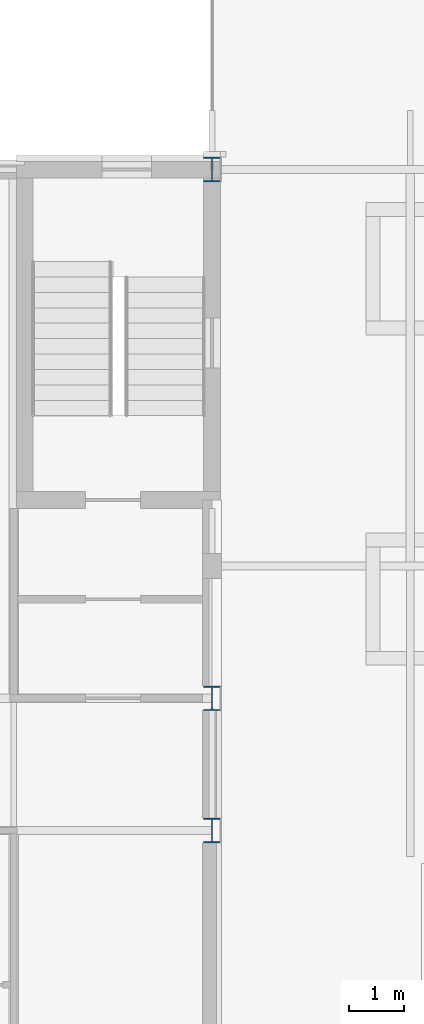
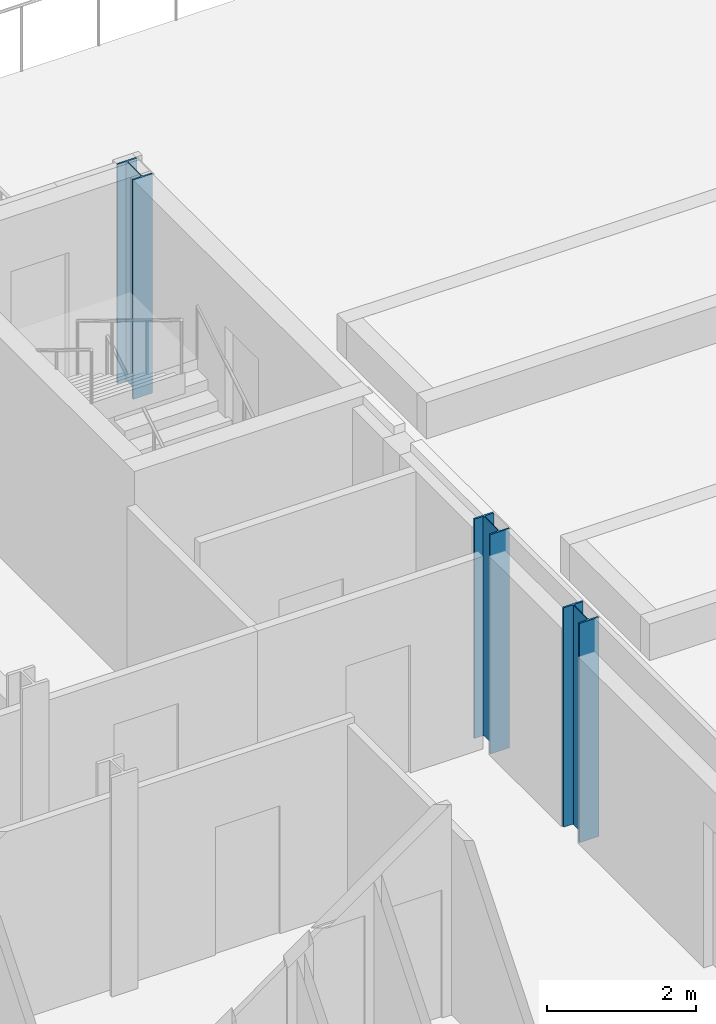
# One storey, part 16 of 110: 3 columns.
"""IFC4 building model written with IfcOpenShell, lengths in metres."""

from ifc_helpers import new_model, si_unit, direction, frame, origin, origin_2d, place, context, subcontext, project, spatial, i_section, extrude, material, material_profile, profile_set, type_object, element, save


model = new_model("IFC4")

# Units and contexts
model_context = context("Model", 3, precision=1e-05, world=origin(), true_north=direction((0.0, 1.0)))
body_context = subcontext(model_context, "Body", "Model", "MODEL_VIEW")
ifc_project = project(units=[si_unit("LENGTHUNIT", "METRE"), si_unit("AREAUNIT", "SQUARE_METRE"), si_unit("VOLUMEUNIT", "CUBIC_METRE"), si_unit("PLANEANGLEUNIT", "RADIAN"), si_unit("MASSUNIT", "GRAM", prefix="KILO")], contexts=[model_context])

# Site, building, storey
site_placement = place(None, origin())
site = spatial("IfcSite", under=ifc_project, at=site_placement, CompositionType="ELEMENT")
building_placement = place(site_placement, origin())
building = spatial("IfcBuilding", under=site, at=building_placement, Name="Kupolbacken Congress Centre", CompositionType="ELEMENT")
storey_placement = place(building_placement, frame((0.0, 0.0, 18.0)))
storey = spatial("IfcBuildingStorey", under=building, at=storey_placement, Name="L05", CompositionType="ELEMENT", Elevation=18.0)

# Columns
ifc_material = material(Name="Steel S355", Category="steel")
ifc_material_profile = material_profile(ifc_material, i_section(OverallWidth=0.300048828125, OverallDepth=0.449951171875, WebThickness=0.013916015625, FlangeThickness=0.02587890625, FilletRadius=0.027099609375, at=origin_2d()), Name="HEB 450")
ifc_profile_set = profile_set([ifc_material_profile], Name="Steel S355")
column_type = type_object("IfcColumnType", Name="C03 column HEB 450", PredefinedType="COLUMN", material=ifc_profile_set)
for number, where, z_axis, x_axis, name in (
    (1, (136.800048828125, 132.0, 0.0), (0.0, 0.0, 1.0), (1.0, 0.0, 0.0), "S/col/C-T-20U+2400/L05"),
    (2, (136.800048828125, 134.39990234375, 0.0), (0.0, 0.0, 1.0), (1.0, 0.0, 0.0), "S/col/C-T-20U+4800/L05"),
    (3, (136.800048828125, 144.0, 0.0), (0.0, 0.0, 1.0), (1.0, 0.0, 0.0), "S/col/C-T-20W/L05"),
):
    element("IfcColumn", number, at=place(storey_placement, frame(where, z_axis=z_axis, x_axis=x_axis)), inside=storey, type_object=column_type, Name=name, PredefinedType="COLUMN", context=body_context, shape_type="SweptSolid", body=[
        extrude(i_section(OverallWidth=0.300048828125, OverallDepth=0.449951171875, WebThickness=0.013916015625, FlangeThickness=0.02587890625, FilletRadius=0.027099609375, at=origin_2d()), origin(), (0.0, 0.0, 1.0), 3.60009765625),
    ])

save(model, "model.ifc")
